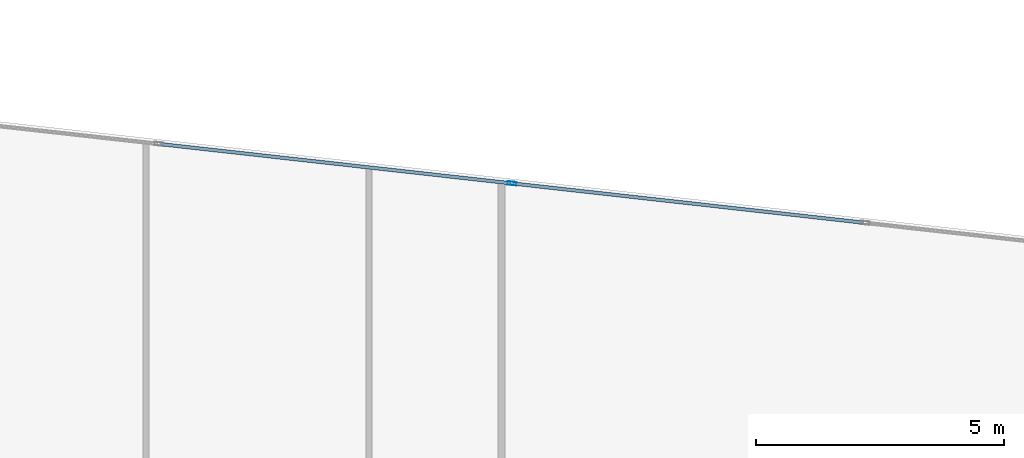
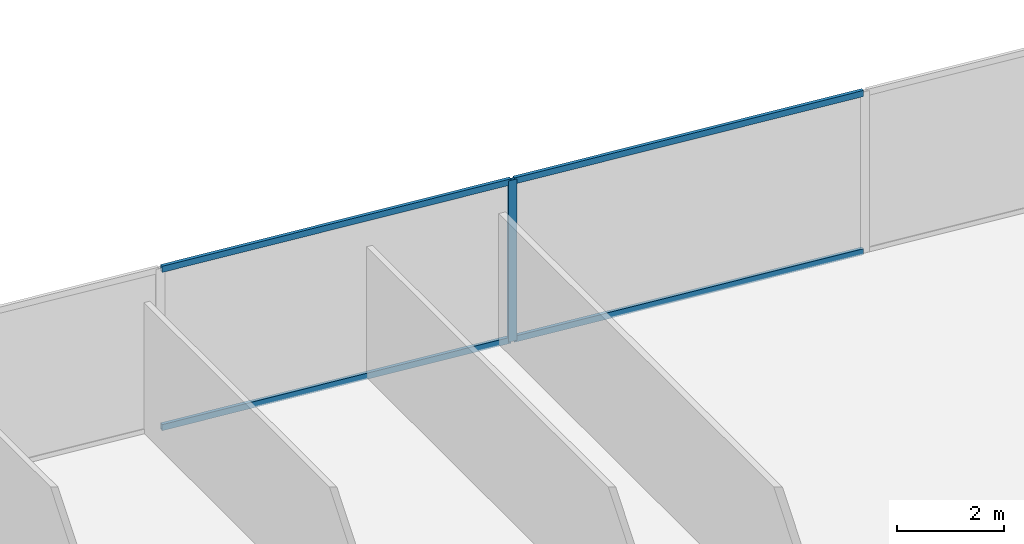
# One storey, part 22 of 28: 5 members, 1 element without a shape of its own.
"""IFC4 building model written with IfcOpenShell, lengths in metres."""

from ifc_helpers import new_model, si_unit, direction, frame, origin, origin_2d, place, context, subcontext, project, spatial, hollow_rectangle, extrude, source, transform, mapped, material, material_profile, profile_set, type_object, type_shapes, element, aggregate, save


model = new_model("IFC4")

# Units and contexts
model_context = context("Model", 3, precision=1e-05, world=origin(), true_north=direction((0.0, 1.0)))
body_context = subcontext(model_context, "Body", "Model", "MODEL_VIEW")
ifc_project = project(units=[si_unit("LENGTHUNIT", "METRE"), si_unit("AREAUNIT", "SQUARE_METRE"), si_unit("VOLUMEUNIT", "CUBIC_METRE"), si_unit("PLANEANGLEUNIT", "RADIAN"), si_unit("MASSUNIT", "GRAM", prefix="KILO")], contexts=[model_context])

# Site, building, storey
site_placement = place(None, origin())
site = spatial("IfcSite", under=ifc_project, at=site_placement, CompositionType="ELEMENT")
building_placement = place(site_placement, origin())
building = spatial("IfcBuilding", under=site, at=building_placement, Name="Krantzveldt Concourse Tower", CompositionType="ELEMENT")
storey_placement = place(building_placement, frame((0.0, 0.0, 64.5)))
storey = spatial("IfcBuildingStorey", under=building, at=storey_placement, Name="L15", CompositionType="ELEMENT", Elevation=64.5)

# Curtain wall, members
ifc_material = material(Name="Anodised aluminium 6063-T6", Category="aluminium")
curtain_wall_type = type_object("IfcCurtainWallType", Name="CW2", PredefinedType="USERDEFINED", material=ifc_material)
curtain_wall_placement = place(storey_placement, origin())
curtain_wall = element("IfcCurtainWall", 1, at=curtain_wall_placement, inside=storey, type_object=curtain_wall_type, Name="CW-L15-F10", ObjectType="UNITISED CURTAIN WALL", PredefinedType="USERDEFINED")
ifc_material_profile_1 = material_profile(ifc_material, hollow_rectangle(XDim=0.070068359375, YDim=0.179931640625, WallThickness=0.0048828125, at=origin_2d()), Name="Anodised aluminium 6063-T6", Category="aluminium")
ifc_profile_set_1 = profile_set([ifc_material_profile_1], Name="Anodised aluminium 6063-T6 - ALU-MULL 180x70x5")
member_type_1 = type_object("IfcMemberType", Name="CW-MUL-180", PredefinedType="MULLION", material=ifc_profile_set_1)
shared_shape_1 = source(origin(), body_context, "Body", "SweptSolid", [
    extrude(hollow_rectangle(XDim=0.070068359375, YDim=0.179931640625, WallThickness=0.0048828125, at=origin_2d()), origin(), (0.0, 0.0, 1.0), 3.669921875),
])
type_shapes(member_type_1, [shared_shape_1])
member_1_placement = place(storey_placement, frame((45.88818359375, 50.66015625, 0.0), z_axis=(0.0, 0.0, 1.0), x_axis=(-0.111035342863, -0.993816458223, 0.0)))
member_1 = element("IfcMember", 2, at=member_1_placement, type_object=member_type_1, Name="CW-Z12 mullion 3", PredefinedType="MULLION", context=body_context, shape_type="MappedRepresentation", body=[
    mapped(shared_shape_1, transform((0.0, 0.0, 0.0), x_axis=(1.0, 0.0, 0.0), y_axis=(0.0, 1.0, 0.0), z_axis=(0.0, 0.0, 1.0), scale=1.0)),
])
ifc_material_profile_2 = material_profile(ifc_material, hollow_rectangle(XDim=0.070068359375, YDim=0.139892578125, WallThickness=0.0048828125, at=origin_2d()), Name="Anodised aluminium 6063-T6", Category="aluminium")
ifc_profile_set_2 = profile_set([ifc_material_profile_2], Name="Anodised aluminium 6063-T6 - ALU-TRAN 140x70x5")
member_type_2 = type_object("IfcMemberType", Name="CW-TRN-150", PredefinedType="USERDEFINED", material=ifc_profile_set_2)
shared_shape_2 = source(origin(), body_context, "Body", "SweptSolid", [
    extrude(hollow_rectangle(XDim=0.070068359375, YDim=0.139892578125, WallThickness=0.0048828125, at=origin_2d()), origin(), (0.0, 0.0, 1.0), 7.0966796875),
])
type_shapes(member_type_2, [shared_shape_2])
member_2_placement = place(storey_placement, frame((52.975830078125, 49.868408203125, 0.034912109375), z_axis=(-0.993818533296, 0.111016768449, 0.0), x_axis=(-0.111016768449, -0.993818533296, 0.0)))
member_2 = element("IfcMember", 3, at=member_2_placement, type_object=member_type_2, Name="CW-Z12 transom 2.1", ObjectType="TRANSOM", PredefinedType="USERDEFINED", context=body_context, shape_type="MappedRepresentation", body=[
    mapped(shared_shape_2, transform((0.0, 0.0, 0.0), x_axis=(1.0, 0.0, 0.0), y_axis=(0.0, 1.0, 0.0), z_axis=(0.0, 0.0, 1.0), scale=1.0)),
])
member_3_placement = place(storey_placement, frame((52.975830078125, 49.868408203125, 3.635009765625), z_axis=(-0.993818533296, 0.111016768449, 0.0), x_axis=(-0.111016768449, -0.993818533296, 0.0)))
member_3 = element("IfcMember", 4, at=member_3_placement, type_object=member_type_2, Name="CW-Z12 transom 2.2", ObjectType="TRANSOM", PredefinedType="USERDEFINED", context=body_context, shape_type="MappedRepresentation", body=[
    mapped(shared_shape_2, transform((0.0, 0.0, 0.0), x_axis=(1.0, 0.0, 0.0), y_axis=(0.0, 1.0, 0.0), z_axis=(0.0, 0.0, 1.0), scale=1.0)),
])
member_4_placement = place(storey_placement, frame((45.853515625, 50.6640625, 0.034912109375), z_axis=(-0.993814737088, 0.111050746722, 0.0), x_axis=(-0.111050746722, -0.993814737088, 0.0)))
member_4 = element("IfcMember", 5, at=member_4_placement, type_object=member_type_2, Name="CW-Z12 transom 3.1", ObjectType="TRANSOM", PredefinedType="USERDEFINED", context=body_context, shape_type="MappedRepresentation", body=[
    mapped(shared_shape_2, transform((0.0, 0.0, 0.0), x_axis=(1.0, 0.0, 0.0), y_axis=(0.0, 1.0, 0.0), z_axis=(0.0, 0.0, 1.0), scale=1.0)),
])
member_5_placement = place(storey_placement, frame((45.853515625, 50.6640625, 3.635009765625), z_axis=(-0.993814737088, 0.111050746722, 0.0), x_axis=(-0.111050746722, -0.993814737088, 0.0)))
member_5 = element("IfcMember", 6, at=member_5_placement, type_object=member_type_2, Name="CW-Z12 transom 3.2", ObjectType="TRANSOM", PredefinedType="USERDEFINED", context=body_context, shape_type="MappedRepresentation", body=[
    mapped(shared_shape_2, transform((0.0, 0.0, 0.0), x_axis=(1.0, 0.0, 0.0), y_axis=(0.0, 1.0, 0.0), z_axis=(0.0, 0.0, 1.0), scale=1.0)),
])
aggregate(curtain_wall, [member_1, member_2, member_3, member_4, member_5])

save(model, "model.ifc")
